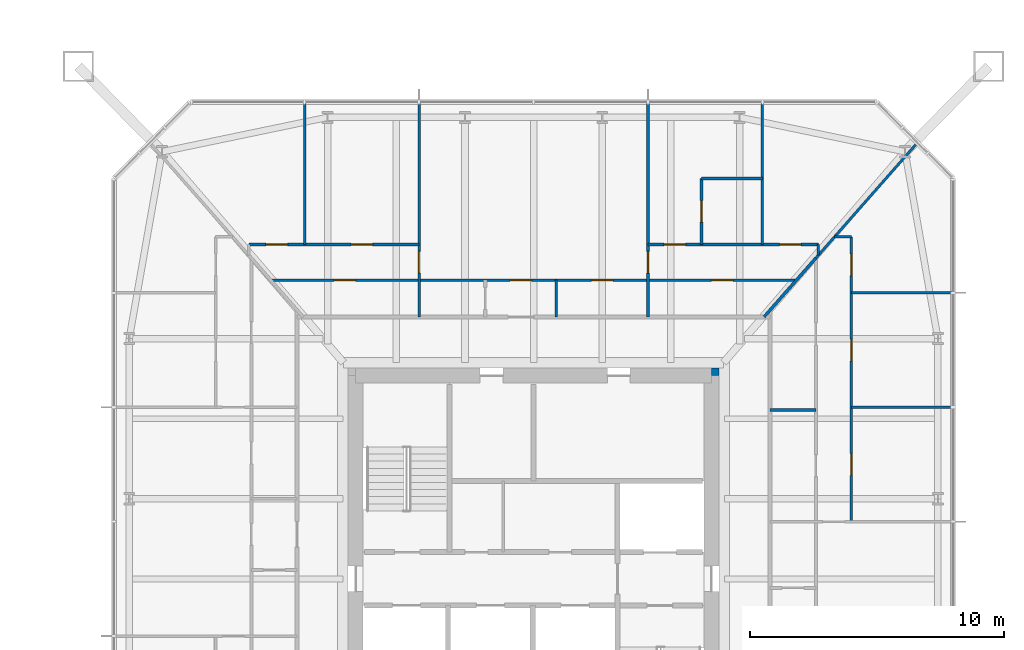
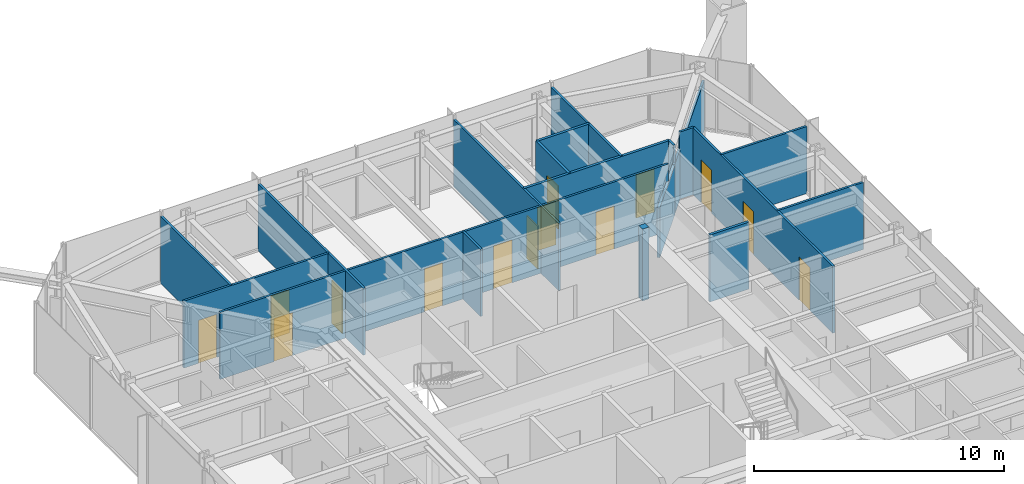
# One storey, part 21 of 26: 19 walls, 14 doors, 14 openings.
"""IFC4 building model written with IfcOpenShell, lengths in metres."""

from ifc_helpers import new_model, si_unit, direction, frame, frame_2d, origin, place, context, subcontext, project, spatial, rectangle, extrude, material, layer, layer_set, type_object, element, fill, save


model = new_model("IFC4")

# Units and contexts
model_context = context("Model", 3, precision=1e-05, world=origin(), true_north=direction((0.0, 1.0)))
body_context = subcontext(model_context, "Body", "Model", "MODEL_VIEW")
ifc_project = project(units=[si_unit("LENGTHUNIT", "METRE"), si_unit("AREAUNIT", "SQUARE_METRE"), si_unit("VOLUMEUNIT", "CUBIC_METRE"), si_unit("PLANEANGLEUNIT", "RADIAN"), si_unit("MASSUNIT", "GRAM", prefix="KILO")], contexts=[model_context])

# Site, building, storey
site_placement = place(None, origin())
site = spatial("IfcSite", under=ifc_project, at=site_placement, CompositionType="ELEMENT")
building_placement = place(site_placement, origin())
building = spatial("IfcBuilding", under=site, at=building_placement, Name="Iwan Alto Co-Living Towers", CompositionType="ELEMENT")
storey_placement = place(building_placement, frame((0.0, 0.0, 32.5)))
storey = spatial("IfcBuildingStorey", under=building, at=storey_placement, Name="L08", CompositionType="ELEMENT", Elevation=32.5)

# Walls
ifc_material_1 = material(Name="Gypsum board")
ifc_layer_1 = layer(ifc_material_1, 0.012451171875, Name="Board", Category="Finish")
ifc_material_2 = material(Name="Steel ASTM A1003 ST33H cold-formed studs", Category="steel")
ifc_layer_2 = layer(ifc_material_2, 0.074951171875, Name="Studs", Category="Framing")
ifc_layer_3 = layer(ifc_material_1, 0.012451171875, Name="Board", Category="Finish")
ifc_layer_set_1 = layer_set([ifc_layer_1, ifc_layer_2, ifc_layer_3], Name="PARTITION 100")
wall_type_1 = type_object("IfcWallType", Name="PARTITION 100", PredefinedType="PARTITIONING", material=ifc_layer_set_1)
for number, where, z_axis, x_axis, name in (
    (1, (75.5, 6.75, 0.0), (0.0, 0.0, 1.0), (1.0, 0.0, 0.0), "Partition L08"),
    (2, (75.5, 11.25, 0.0), (0.0, 0.0, 1.0), (1.0, 0.0, 0.0), "Partition L08"),
):
    element("IfcWall", number, at=place(storey_placement, frame(where, z_axis=z_axis, x_axis=x_axis)), inside=storey, type_object=wall_type_1, Name=name, PredefinedType="PARTITIONING", context=body_context, shape_type="SweptSolid", body=[
        extrude(rectangle(XDim=3.93994140625, YDim=0.10009765625, at=frame_2d((1.969970703125, 0.0))), origin(), (0.0, 0.0, 1.0), 3.27001953125),
    ])

# Wall, openings, doors
wall_1_placement = place(storey_placement, frame((52.659912109375, 11.75, 0.0), z_axis=(0.0, 0.0, 1.0), x_axis=(1.0, 0.0, 0.0)))
wall_1 = element("IfcWall", 3, at=wall_1_placement, inside=storey, type_object=wall_type_1, Name="Partition L08", PredefinedType="PARTITIONING", context=body_context, shape_type="SweptSolid", body=[
    extrude(rectangle(XDim=20.68017578125, YDim=0.10009765625, at=frame_2d((10.340087890625, 0.0))), origin(), (0.0, 0.0, 1.0), 3.27001953125),
])
opening_1_placement = place(wall_1_placement, frame((12.614990234375, 0.0, 0.0)))
opening_1 = element("IfcOpeningElement", 4, at=opening_1_placement, cuts=wall_1, Name="Opening D2", PredefinedType="OPENING", context=body_context, shape_type="SweptSolid", body=[
    extrude(rectangle(XDim=0.85009765625, YDim=2.10009765625, at=frame_2d((0.425048828125, 1.050048828125))), frame((0.0, 0.06005859375, 0.0), z_axis=(0.0, -1.0, 0.0), x_axis=(1.0, 0.0, 0.0)), (0.0, 0.0, 1.0), 0.1201171875),
])
opening_2_placement = place(wall_1_placement, frame((9.4150390625, 0.0, 0.0)))
opening_2 = element("IfcOpeningElement", 5, at=opening_2_placement, cuts=wall_1, Name="Opening D2", PredefinedType="OPENING", context=body_context, shape_type="SweptSolid", body=[
    extrude(rectangle(XDim=0.85009765625, YDim=2.10009765625, at=frame_2d((0.425048828125, 1.050048828125))), frame((0.0, 0.06005859375, 0.0), z_axis=(0.0, -1.0, 0.0), x_axis=(1.0, 0.0, 0.0)), (0.0, 0.0, 1.0), 0.1201171875),
])
opening_3_placement = place(wall_1_placement, frame((17.3349609375, 0.0, 0.0)))
opening_3 = element("IfcOpeningElement", 6, at=opening_3_placement, cuts=wall_1, Name="Opening D2", PredefinedType="OPENING", context=body_context, shape_type="SweptSolid", body=[
    extrude(rectangle(XDim=0.85009765625, YDim=2.10009765625, at=frame_2d((0.425048828125, 1.050048828125))), frame((0.0, 0.06005859375, 0.0), z_axis=(0.0, -1.0, 0.0), x_axis=(1.0, 0.0, 0.0)), (0.0, 0.0, 1.0), 0.1201171875),
])
opening_4_placement = place(wall_1_placement, frame((2.4951171875, 0.0, 0.0)))
opening_4 = element("IfcOpeningElement", 7, at=opening_4_placement, cuts=wall_1, Name="Opening D2", PredefinedType="OPENING", context=body_context, shape_type="SweptSolid", body=[
    extrude(rectangle(XDim=0.85009765625, YDim=2.10009765625, at=frame_2d((0.425048828125, 1.050048828125))), frame((0.0, 0.06005859375, 0.0), z_axis=(0.0, -1.0, 0.0), x_axis=(1.0, 0.0, 0.0)), (0.0, 0.0, 1.0), 0.1201171875),
])
ifc_material_3 = material(Name="Timber leaf in steel frame", Category="steel")
door_type = type_object("IfcDoorType", Name="ROOM DOOR 850X2100", OperationType="SINGLE_SWING_LEFT", PredefinedType="DOOR", material=ifc_material_3)
door_1_placement = place(opening_1_placement, origin())
door_1 = element("IfcDoor", 8, at=door_1_placement, inside=storey, type_object=door_type, Name="Kitchen door L08", OperationType="SINGLE_SWING_RIGHT", OverallHeight=2.10009765625, OverallWidth=0.85009765625, PredefinedType="DOOR", context=body_context, shape_type="SweptSolid", body=[
    extrude(rectangle(XDim=0.85009765625, YDim=2.10009765625, at=frame_2d((0.425048828125, 1.050048828125))), frame((0.0, 0.02490234375, 0.0), z_axis=(0.0, -1.0, 0.0), x_axis=(1.0, 0.0, 0.0)), (0.0, 0.0, 1.0), 0.050048828125),
])
fill(opening_1, door_1)
door_2_placement = place(opening_2_placement, origin())
door_2 = element("IfcDoor", 9, at=door_2_placement, inside=storey, type_object=door_type, Name="Apartment foyer door L08", OperationType="SINGLE_SWING_LEFT", OverallHeight=2.10009765625, OverallWidth=0.85009765625, PredefinedType="DOOR", context=body_context, shape_type="SweptSolid", body=[
    extrude(rectangle(XDim=0.85009765625, YDim=2.10009765625, at=frame_2d((0.425048828125, 1.050048828125))), frame((0.0, 0.02490234375, 0.0), z_axis=(0.0, -1.0, 0.0), x_axis=(1.0, 0.0, 0.0)), (0.0, 0.0, 1.0), 0.050048828125),
])
fill(opening_2, door_2)
door_3_placement = place(opening_3_placement, frame((0.85009765625, 0.0, 0.0), z_axis=(0.0, 0.0, 1.0), x_axis=(-1.0, 0.0, 0.0)))
door_3 = element("IfcDoor", 10, at=door_3_placement, inside=storey, type_object=door_type, Name="Utility room door L08", OperationType="SINGLE_SWING_LEFT", OverallHeight=2.10009765625, OverallWidth=0.85009765625, PredefinedType="DOOR", context=body_context, shape_type="SweptSolid", body=[
    extrude(rectangle(XDim=0.85009765625, YDim=2.10009765625, at=frame_2d((0.425048828125, 1.050048828125))), frame((0.0, 0.02490234375, 0.0), z_axis=(0.0, -1.0, 0.0), x_axis=(1.0, 0.0, 0.0)), (0.0, 0.0, 1.0), 0.050048828125),
])
fill(opening_3, door_3)
door_4_placement = place(opening_4_placement, frame((0.85009765625, 0.0, 0.0), z_axis=(0.0, 0.0, 1.0), x_axis=(-1.0, 0.0, 0.0)))
door_4 = element("IfcDoor", 11, at=door_4_placement, inside=storey, type_object=door_type, Name="Utility room door L08", OperationType="SINGLE_SWING_RIGHT", OverallHeight=2.10009765625, OverallWidth=0.85009765625, PredefinedType="DOOR", context=body_context, shape_type="SweptSolid", body=[
    extrude(rectangle(XDim=0.85009765625, YDim=2.10009765625, at=frame_2d((0.425048828125, 1.050048828125))), frame((0.0, 0.02490234375, 0.0), z_axis=(0.0, -1.0, 0.0), x_axis=(1.0, 0.0, 0.0)), (0.0, 0.0, 1.0), 0.050048828125),
])
fill(opening_4, door_4)

wall_2_placement = place(storey_placement, frame((51.800048828125, 13.14990234375, 0.0), z_axis=(0.0, 0.0, 1.0), x_axis=(1.0, 0.0, 0.0)))
wall_2 = element("IfcWall", 12, at=wall_2_placement, inside=storey, type_object=wall_type_1, Name="Partition L08", PredefinedType="PARTITIONING", context=body_context, shape_type="SweptSolid", body=[
    extrude(rectangle(XDim=6.699951171875, YDim=0.10009765625, at=frame_2d((3.35009765625, 0.0))), origin(), (0.0, 0.0, 1.0), 3.27001953125),
])
opening_5_placement = place(wall_2_placement, frame((4.02490234375, 0.0, 0.0)))
opening_5 = element("IfcOpeningElement", 13, at=opening_5_placement, cuts=wall_2, Name="Opening D2", PredefinedType="OPENING", context=body_context, shape_type="SweptSolid", body=[
    extrude(rectangle(XDim=0.85009765625, YDim=2.10009765625, at=frame_2d((0.425048828125, 1.050048828125))), frame((0.0, 0.06005859375, 0.0), z_axis=(0.0, -1.0, 0.0), x_axis=(1.0, 0.0, 0.0)), (0.0, 0.0, 1.0), 0.1201171875),
])
opening_6_placement = place(wall_2_placement, frame((0.675048828125, 0.0, 0.0)))
opening_6 = element("IfcOpeningElement", 14, at=opening_6_placement, cuts=wall_2, Name="Opening D2", PredefinedType="OPENING", context=body_context, shape_type="SweptSolid", body=[
    extrude(rectangle(XDim=0.85009765625, YDim=2.10009765625, at=frame_2d((0.425048828125, 1.050048828125))), frame((0.0, 0.06005859375, 0.0), z_axis=(0.0, -1.0, 0.0), x_axis=(1.0, 0.0, 0.0)), (0.0, 0.0, 1.0), 0.1201171875),
])
door_5_placement = place(opening_5_placement, origin())
door_5 = element("IfcDoor", 15, at=door_5_placement, inside=storey, type_object=door_type, Name="Study door L08", OperationType="SINGLE_SWING_LEFT", OverallHeight=2.10009765625, OverallWidth=0.85009765625, PredefinedType="DOOR", context=body_context, shape_type="SweptSolid", body=[
    extrude(rectangle(XDim=0.85009765625, YDim=2.10009765625, at=frame_2d((0.425048828125, 1.050048828125))), frame((0.0, 0.02490234375, 0.0), z_axis=(0.0, -1.0, 0.0), x_axis=(1.0, 0.0, 0.0)), (0.0, 0.0, 1.0), 0.050048828125),
])
fill(opening_5, door_5)
door_6_placement = place(opening_6_placement, origin())
door_6 = element("IfcDoor", 16, at=door_6_placement, inside=storey, type_object=door_type, Name="Bedroom door L08", OperationType="SINGLE_SWING_RIGHT", OverallHeight=2.10009765625, OverallWidth=0.85009765625, PredefinedType="DOOR", context=body_context, shape_type="SweptSolid", body=[
    extrude(rectangle(XDim=0.85009765625, YDim=2.10009765625, at=frame_2d((0.425048828125, 1.050048828125))), frame((0.0, 0.02490234375, 0.0), z_axis=(0.0, -1.0, 0.0), x_axis=(1.0, 0.0, 0.0)), (0.0, 0.0, 1.0), 0.050048828125),
])
fill(opening_6, door_6)

# Walls
wall_3_placement = place(storey_placement, frame((74.8359375, 13.449951171875, 0.0), z_axis=(0.0, 0.0, 1.0), x_axis=(1.0, 0.0, 0.0)))
element("IfcWall", 17, at=wall_3_placement, inside=storey, type_object=wall_type_1, Name="Partition L08", PredefinedType="PARTITIONING", context=body_context, shape_type="SweptSolid", body=[
    extrude(rectangle(XDim=0.6640625, YDim=0.10009765625, at=frame_2d((0.33203125, 0.0))), origin(), (0.0, 0.0, 1.0), 3.27001953125),
])
wall_4_placement = place(storey_placement, frame((74.10009765625, 12.614013671875, 0.0), z_axis=(0.0, 0.0, 1.0), x_axis=(0.660755619739, 0.750601099775, 0.0)))
element("IfcWall", 18, at=wall_4_placement, inside=storey, type_object=wall_type_1, Name="Partition L08", PredefinedType="PARTITIONING", context=body_context, shape_type="SweptSolid", body=[
    extrude(rectangle(XDim=5.989013671875, YDim=0.10009765625, at=frame_2d((2.99462890625, 0.0))), origin(), (0.0, 0.0, 1.0), 2.42919921875),
])

# Wall, openings, doors
wall_5_placement = place(storey_placement, frame((75.5, 2.25, 0.0), z_axis=(0.0, 0.0, 1.0), x_axis=(0.0, 1.0, 0.0)))
wall_5 = element("IfcWall", 19, at=wall_5_placement, inside=storey, type_object=wall_type_1, Name="Partition L08", PredefinedType="PARTITIONING", context=body_context, shape_type="SweptSolid", body=[
    extrude(rectangle(XDim=11.199951171875, YDim=0.10009765625, at=frame_2d((5.60009765625, 0.0))), origin(), (0.0, 0.0, 1.0), 3.27001953125),
])
opening_7_placement = place(wall_5_placement, frame((1.824951171875, 0.0, 0.0)))
opening_7 = element("IfcOpeningElement", 20, at=opening_7_placement, cuts=wall_5, Name="Opening D2", PredefinedType="OPENING", context=body_context, shape_type="SweptSolid", body=[
    extrude(rectangle(XDim=0.85009765625, YDim=2.10009765625, at=frame_2d((0.425048828125, 1.050048828125))), frame((0.0, 0.06005859375, 0.0), z_axis=(0.0, -1.0, 0.0), x_axis=(1.0, 0.0, 0.0)), (0.0, 0.0, 1.0), 0.1201171875),
])
opening_8_placement = place(wall_5_placement, frame((6.324951171875, 0.0, 0.0)))
opening_8 = element("IfcOpeningElement", 21, at=opening_8_placement, cuts=wall_5, Name="Opening D2", PredefinedType="OPENING", context=body_context, shape_type="SweptSolid", body=[
    extrude(rectangle(XDim=0.85009765625, YDim=2.10009765625, at=frame_2d((0.425048828125, 1.050048828125))), frame((0.0, 0.06005859375, 0.0), z_axis=(0.0, -1.0, 0.0), x_axis=(1.0, 0.0, 0.0)), (0.0, 0.0, 1.0), 0.1201171875),
])
opening_9_placement = place(wall_5_placement, frame((9.675048828125, 0.0, 0.0)))
opening_9 = element("IfcOpeningElement", 22, at=opening_9_placement, cuts=wall_5, Name="Opening D2", PredefinedType="OPENING", context=body_context, shape_type="SweptSolid", body=[
    extrude(rectangle(XDim=0.85009765625, YDim=2.10009765625, at=frame_2d((0.425048828125, 1.050048828125))), frame((0.0, 0.06005859375, 0.0), z_axis=(0.0, -1.0, 0.0), x_axis=(1.0, 0.0, 0.0)), (0.0, 0.0, 1.0), 0.1201171875),
])
door_7_placement = place(opening_7_placement, frame((0.85009765625, 0.0, 0.0), z_axis=(0.0, 0.0, 1.0), x_axis=(-1.0, 0.0, 0.0)))
door_7 = element("IfcDoor", 23, at=door_7_placement, inside=storey, type_object=door_type, Name="Family room door L08", OperationType="SINGLE_SWING_RIGHT", OverallHeight=2.10009765625, OverallWidth=0.85009765625, PredefinedType="DOOR", context=body_context, shape_type="SweptSolid", body=[
    extrude(rectangle(XDim=0.85009765625, YDim=2.10009765625, at=frame_2d((0.425048828125, 1.050048828125))), frame((0.0, 0.02490234375, 0.0), z_axis=(0.0, -1.0, 0.0), x_axis=(1.0, 0.0, 0.0)), (0.0, 0.0, 1.0), 0.050048828125),
])
fill(opening_7, door_7)
door_8_placement = place(opening_8_placement, frame((0.85009765625, 0.0, 0.0), z_axis=(0.0, 0.0, 1.0), x_axis=(-1.0, 0.0, 0.0)))
door_8 = element("IfcDoor", 24, at=door_8_placement, inside=storey, type_object=door_type, Name="Bedroom door L08", OperationType="SINGLE_SWING_RIGHT", OverallHeight=2.10009765625, OverallWidth=0.85009765625, PredefinedType="DOOR", context=body_context, shape_type="SweptSolid", body=[
    extrude(rectangle(XDim=0.85009765625, YDim=2.10009765625, at=frame_2d((0.425048828125, 1.050048828125))), frame((0.0, 0.02490234375, 0.0), z_axis=(0.0, -1.0, 0.0), x_axis=(1.0, 0.0, 0.0)), (0.0, 0.0, 1.0), 0.050048828125),
])
fill(opening_8, door_8)
door_9_placement = place(opening_9_placement, frame((0.85009765625, 0.0, 0.0), z_axis=(0.0, 0.0, 1.0), x_axis=(-1.0, 0.0, 0.0)))
door_9 = element("IfcDoor", 25, at=door_9_placement, inside=storey, type_object=door_type, Name="Study door L08", OperationType="SINGLE_SWING_RIGHT", OverallHeight=2.10009765625, OverallWidth=0.85009765625, PredefinedType="DOOR", context=body_context, shape_type="SweptSolid", body=[
    extrude(rectangle(XDim=0.85009765625, YDim=2.10009765625, at=frame_2d((0.425048828125, 1.050048828125))), frame((0.0, 0.02490234375, 0.0), z_axis=(0.0, -1.0, 0.0), x_axis=(1.0, 0.0, 0.0)), (0.0, 0.0, 1.0), 0.050048828125),
])
fill(opening_9, door_9)

# Walls
wall_6_placement = place(storey_placement, frame((74.199951171875, 12.72705078125, 0.0), z_axis=(0.0, 0.0, 1.0), x_axis=(0.0, 1.0, 0.0)))
element("IfcWall", 26, at=wall_6_placement, inside=storey, type_object=wall_type_1, Name="Partition L08", PredefinedType="PARTITIONING", context=body_context, shape_type="SweptSolid", body=[
    extrude(rectangle(XDim=0.4228515625, YDim=0.10009765625, at=frame_2d((0.21142578125, 0.0))), origin(), (0.0, 0.0, 1.0), 3.27001953125),
])
wall_7_placement = place(storey_placement, frame((72.0, 13.14990234375, 0.0), z_axis=(0.0, 0.0, 1.0), x_axis=(0.0, 1.0, 0.0)))
element("IfcWall", 27, at=wall_7_placement, inside=storey, type_object=wall_type_1, Name="Partition L08", PredefinedType="PARTITIONING", context=body_context, shape_type="SweptSolid", body=[
    extrude(rectangle(XDim=5.5400390625, YDim=0.10009765625, at=frame_2d((2.77001953125, 0.0))), origin(), (0.0, 0.0, 1.0), 3.27001953125),
])

# Wall, opening, door
wall_8_placement = place(storey_placement, frame((67.5, 10.300048828125, 0.0), z_axis=(0.0, 0.0, 1.0), x_axis=(0.0, 1.0, 0.0)))
wall_8 = element("IfcWall", 28, at=wall_8_placement, inside=storey, type_object=wall_type_1, Name="Partition L08", PredefinedType="PARTITIONING", context=body_context, shape_type="SweptSolid", body=[
    extrude(rectangle(XDim=8.389892578125, YDim=0.10009765625, at=frame_2d((4.19482421875, 0.0))), origin(), (0.0, 0.0, 1.0), 3.27001953125),
])
opening_10_placement = place(wall_8_placement, frame((1.72509765625, 0.0, 0.0)))
opening_10 = element("IfcOpeningElement", 29, at=opening_10_placement, cuts=wall_8, Name="Opening D2", PredefinedType="OPENING", context=body_context, shape_type="SweptSolid", body=[
    extrude(rectangle(XDim=0.85009765625, YDim=2.10009765625, at=frame_2d((0.425048828125, 1.050048828125))), frame((0.0, 0.06005859375, 0.0), z_axis=(0.0, -1.0, 0.0), x_axis=(1.0, 0.0, 0.0)), (0.0, 0.0, 1.0), 0.1201171875),
])
door_10_placement = place(opening_10_placement, origin())
door_10 = element("IfcDoor", 30, at=door_10_placement, inside=storey, type_object=door_type, Name="Apartment hall door L08", OperationType="SINGLE_SWING_LEFT", OverallHeight=2.10009765625, OverallWidth=0.85009765625, PredefinedType="DOOR", context=body_context, shape_type="SweptSolid", body=[
    extrude(rectangle(XDim=0.85009765625, YDim=2.10009765625, at=frame_2d((0.425048828125, 1.050048828125))), frame((0.0, 0.02490234375, 0.0), z_axis=(0.0, -1.0, 0.0), x_axis=(1.0, 0.0, 0.0)), (0.0, 0.0, 1.0), 0.050048828125),
])
fill(opening_10, door_10)

# Wall
wall_9_placement = place(storey_placement, frame((63.89990234375, 10.300048828125, 0.0), z_axis=(0.0, 0.0, 1.0), x_axis=(0.0, 1.0, 0.0)))
element("IfcWall", 31, at=wall_9_placement, inside=storey, type_object=wall_type_1, Name="Partition L08", PredefinedType="PARTITIONING", context=body_context, shape_type="SweptSolid", body=[
    extrude(rectangle(XDim=1.449951171875, YDim=0.10009765625, at=frame_2d((0.72509765625, 0.0))), origin(), (0.0, 0.0, 1.0), 3.27001953125),
])

# Wall, opening, door
wall_10_placement = place(storey_placement, frame((58.5, 10.300048828125, 0.0), z_axis=(0.0, 0.0, 1.0), x_axis=(0.0, 1.0, 0.0)))
wall_10 = element("IfcWall", 32, at=wall_10_placement, inside=storey, type_object=wall_type_1, Name="Partition L08", PredefinedType="PARTITIONING", context=body_context, shape_type="SweptSolid", body=[
    extrude(rectangle(XDim=8.389892578125, YDim=0.10009765625, at=frame_2d((4.19482421875, 0.0))), origin(), (0.0, 0.0, 1.0), 3.27001953125),
])
opening_11_placement = place(wall_10_placement, frame((1.72509765625, 0.0, 0.0)))
opening_11 = element("IfcOpeningElement", 33, at=opening_11_placement, cuts=wall_10, Name="Opening D2", PredefinedType="OPENING", context=body_context, shape_type="SweptSolid", body=[
    extrude(rectangle(XDim=0.85009765625, YDim=2.10009765625, at=frame_2d((0.425048828125, 1.050048828125))), frame((0.0, 0.06005859375, 0.0), z_axis=(0.0, -1.0, 0.0), x_axis=(1.0, 0.0, 0.0)), (0.0, 0.0, 1.0), 0.1201171875),
])
door_11_placement = place(opening_11_placement, frame((0.85009765625, 0.0, 0.0), z_axis=(0.0, 0.0, 1.0), x_axis=(-1.0, 0.0, 0.0)))
door_11 = element("IfcDoor", 34, at=door_11_placement, inside=storey, type_object=door_type, Name="Apartment hall door L08", OperationType="SINGLE_SWING_RIGHT", OverallHeight=2.10009765625, OverallWidth=0.85009765625, PredefinedType="DOOR", context=body_context, shape_type="SweptSolid", body=[
    extrude(rectangle(XDim=0.85009765625, YDim=2.10009765625, at=frame_2d((0.425048828125, 1.050048828125))), frame((0.0, 0.02490234375, 0.0), z_axis=(0.0, -1.0, 0.0), x_axis=(1.0, 0.0, 0.0)), (0.0, 0.0, 1.0), 0.050048828125),
])
fill(opening_11, door_11)

# Walls
wall_11_placement = place(storey_placement, frame((54.0, 13.14990234375, 0.0), z_axis=(0.0, 0.0, 1.0), x_axis=(0.0, 1.0, 0.0)))
element("IfcWall", 35, at=wall_11_placement, inside=storey, type_object=wall_type_1, Name="Partition L08", PredefinedType="PARTITIONING", context=body_context, shape_type="SweptSolid", body=[
    extrude(rectangle(XDim=5.5400390625, YDim=0.10009765625, at=frame_2d((2.77001953125, 0.0))), origin(), (0.0, 0.0, 1.0), 3.27001953125),
])
ifc_material_4 = material(Name="Concrete f'c 70 MPa", Category="concrete")
ifc_layer_4 = layer(ifc_material_4, 0.300048828125)
ifc_layer_set_2 = layer_set([ifc_layer_4], Name="T2 CORE CORNER FILL 300")
wall_type_2 = type_object("IfcWallType", Name="T2 CORE CORNER FILL 300", PredefinedType="SOLIDWALL", material=ifc_layer_set_2)
wall_12_placement = place(storey_placement, frame((70.0, 8.14990234375, 0.0), z_axis=(0.0, 0.0, 1.0), x_axis=(1.0, 0.0, 0.0)))
element("IfcWall", 36, at=wall_12_placement, inside=storey, type_object=wall_type_2, Name="T2 core corner NE L08", PredefinedType="SOLIDWALL", context=body_context, shape_type="SweptSolid", body=[
    extrude(rectangle(XDim=0.300048828125, YDim=0.300048828125, at=frame_2d((0.14990234375, 0.0))), origin(), (0.0, 0.0, 1.0), 3.5),
])
ifc_material_5 = material(Name="Cement board")
ifc_layer_5 = layer(ifc_material_5, 0.012451171875, Name="Board", Category="Finish")
ifc_layer_6 = layer(ifc_material_2, 0.094970703125, Name="Studs", Category="Framing")
ifc_layer_7 = layer(ifc_material_5, 0.012451171875, Name="Board", Category="Finish")
ifc_layer_set_3 = layer_set([ifc_layer_5, ifc_layer_6, ifc_layer_7], Name="WET AREA PARTITION 120")
wall_type_3 = type_object("IfcWallType", Name="WET AREA PARTITION 120", PredefinedType="PARTITIONING", material=ifc_layer_set_3)
wall_13_placement = place(storey_placement, frame((72.300048828125, 6.64990234375, 0.0), z_axis=(0.0, 0.0, 1.0), x_axis=(1.0, 0.0, 0.0)))
element("IfcWall", 37, at=wall_13_placement, inside=storey, type_object=wall_type_3, Name="Partition L08", PredefinedType="PARTITIONING", context=body_context, shape_type="SweptSolid", body=[
    extrude(rectangle(XDim=1.800048828125, YDim=0.1201171875, at=frame_2d((0.89990234375, 0.0))), origin(), (0.0, 0.0, 1.0), 3.27001953125),
])

# Wall, openings, doors
wall_14_placement = place(storey_placement, frame((67.5, 13.14990234375, 0.0), z_axis=(0.0, 0.0, 1.0), x_axis=(1.0, 0.0, 0.0)))
wall_14 = element("IfcWall", 38, at=wall_14_placement, inside=storey, type_object=wall_type_3, Name="Partition L08", PredefinedType="PARTITIONING", context=body_context, shape_type="SweptSolid", body=[
    extrude(rectangle(XDim=6.699951171875, YDim=0.1201171875, at=frame_2d((3.35009765625, 0.0))), origin(), (0.0, 0.0, 1.0), 3.27001953125),
])
opening_12_placement = place(wall_14_placement, frame((0.625, 0.0, 0.0)))
opening_12 = element("IfcOpeningElement", 39, at=opening_12_placement, cuts=wall_14, Name="Opening D2", PredefinedType="OPENING", context=body_context, shape_type="SweptSolid", body=[
    extrude(rectangle(XDim=0.85009765625, YDim=2.10009765625, at=frame_2d((0.425048828125, 1.050048828125))), frame((0.0, 0.070068359375, 0.0), z_axis=(0.0, -1.0, 0.0), x_axis=(1.0, 0.0, 0.0)), (0.0, 0.0, 1.0), 0.14013671875),
])
opening_13_placement = place(wall_14_placement, frame((5.175048828125, 0.0, 0.0)))
opening_13 = element("IfcOpeningElement", 40, at=opening_13_placement, cuts=wall_14, Name="Opening D2", PredefinedType="OPENING", context=body_context, shape_type="SweptSolid", body=[
    extrude(rectangle(XDim=0.85009765625, YDim=2.10009765625, at=frame_2d((0.425048828125, 1.050048828125))), frame((0.0, 0.070068359375, 0.0), z_axis=(0.0, -1.0, 0.0), x_axis=(1.0, 0.0, 0.0)), (0.0, 0.0, 1.0), 0.14013671875),
])
door_12_placement = place(opening_12_placement, origin())
door_12 = element("IfcDoor", 41, at=door_12_placement, inside=storey, type_object=door_type, Name="Bedroom door L08", OperationType="SINGLE_SWING_LEFT", OverallHeight=2.10009765625, OverallWidth=0.85009765625, PredefinedType="DOOR", context=body_context, shape_type="SweptSolid", body=[
    extrude(rectangle(XDim=0.85009765625, YDim=2.10009765625, at=frame_2d((0.425048828125, 1.050048828125))), frame((0.0, 0.02490234375, 0.0), z_axis=(0.0, -1.0, 0.0), x_axis=(1.0, 0.0, 0.0)), (0.0, 0.0, 1.0), 0.050048828125),
])
fill(opening_12, door_12)
door_13_placement = place(opening_13_placement, origin())
door_13 = element("IfcDoor", 42, at=door_13_placement, inside=storey, type_object=door_type, Name="Bedroom door L08", OperationType="SINGLE_SWING_LEFT", OverallHeight=2.10009765625, OverallWidth=0.85009765625, PredefinedType="DOOR", context=body_context, shape_type="SweptSolid", body=[
    extrude(rectangle(XDim=0.85009765625, YDim=2.10009765625, at=frame_2d((0.425048828125, 1.050048828125))), frame((0.0, 0.02490234375, 0.0), z_axis=(0.0, -1.0, 0.0), x_axis=(1.0, 0.0, 0.0)), (0.0, 0.0, 1.0), 0.050048828125),
])
fill(opening_13, door_13)

# Walls
wall_15_placement = place(storey_placement, frame((69.60009765625, 15.75, 0.0), z_axis=(0.0, 0.0, 1.0), x_axis=(1.0, 0.0, 0.0)))
element("IfcWall", 43, at=wall_15_placement, inside=storey, type_object=wall_type_3, Name="Partition L08", PredefinedType="PARTITIONING", context=body_context, shape_type="SweptSolid", body=[
    extrude(rectangle(XDim=2.39990234375, YDim=0.1201171875, at=frame_2d((1.199951171875, 0.0))), origin(), (0.0, 0.0, 1.0), 3.27001953125),
])
wall_16_placement = place(storey_placement, frame((72.0634765625, 10.300537109375, 0.0), z_axis=(0.0, 0.0, 1.0), x_axis=(0.660761820138, 0.750595641506, 0.0)))
element("IfcWall", 44, at=wall_16_placement, inside=storey, type_object=wall_type_3, Name="Partition L08", PredefinedType="PARTITIONING", context=body_context, shape_type="SweptSolid", body=[
    extrude(rectangle(XDim=3.081787109375, YDim=0.1201171875, at=frame_2d((1.541015625, 0.0))), origin(), (0.0, 0.0, 1.0), 2.42919921875),
])

# Wall, opening, door
wall_17_placement = place(storey_placement, frame((69.60009765625, 13.14990234375, 0.0), z_axis=(0.0, 0.0, 1.0), x_axis=(0.0, 1.0, 0.0)))
wall_17 = element("IfcWall", 45, at=wall_17_placement, inside=storey, type_object=wall_type_3, Name="Partition L08", PredefinedType="PARTITIONING", context=body_context, shape_type="SweptSolid", body=[
    extrude(rectangle(XDim=2.60009765625, YDim=0.1201171875, at=frame_2d((1.300048828125, 0.0))), origin(), (0.0, 0.0, 1.0), 3.27001953125),
])
opening_14_placement = place(wall_17_placement, frame((0.875, 0.0, 0.0)))
opening_14 = element("IfcOpeningElement", 46, at=opening_14_placement, cuts=wall_17, Name="Opening D2", PredefinedType="OPENING", context=body_context, shape_type="SweptSolid", body=[
    extrude(rectangle(XDim=0.85009765625, YDim=2.10009765625, at=frame_2d((0.425048828125, 1.050048828125))), frame((0.0, 0.070068359375, 0.0), z_axis=(0.0, -1.0, 0.0), x_axis=(1.0, 0.0, 0.0)), (0.0, 0.0, 1.0), 0.14013671875),
])
door_14_placement = place(opening_14_placement, origin())
door_14 = element("IfcDoor", 47, at=door_14_placement, inside=storey, type_object=door_type, Name="En-suite shower room door L08", OperationType="SINGLE_SWING_LEFT", OverallHeight=2.10009765625, OverallWidth=0.85009765625, PredefinedType="DOOR", context=body_context, shape_type="SweptSolid", body=[
    extrude(rectangle(XDim=0.85009765625, YDim=2.10009765625, at=frame_2d((0.425048828125, 1.050048828125))), frame((0.0, 0.02490234375, 0.0), z_axis=(0.0, -1.0, 0.0), x_axis=(1.0, 0.0, 0.0)), (0.0, 0.0, 1.0), 0.050048828125),
])
fill(opening_14, door_14)

save(model, "model.ifc")
